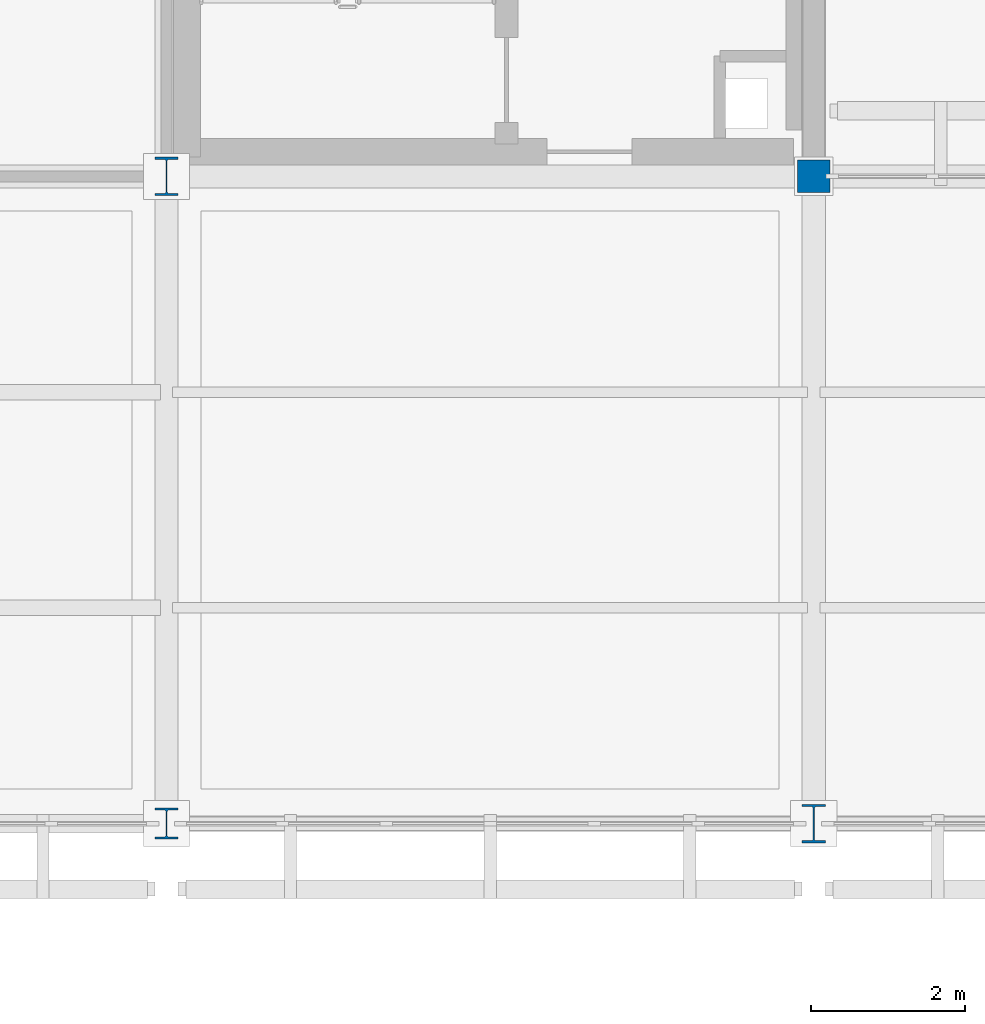
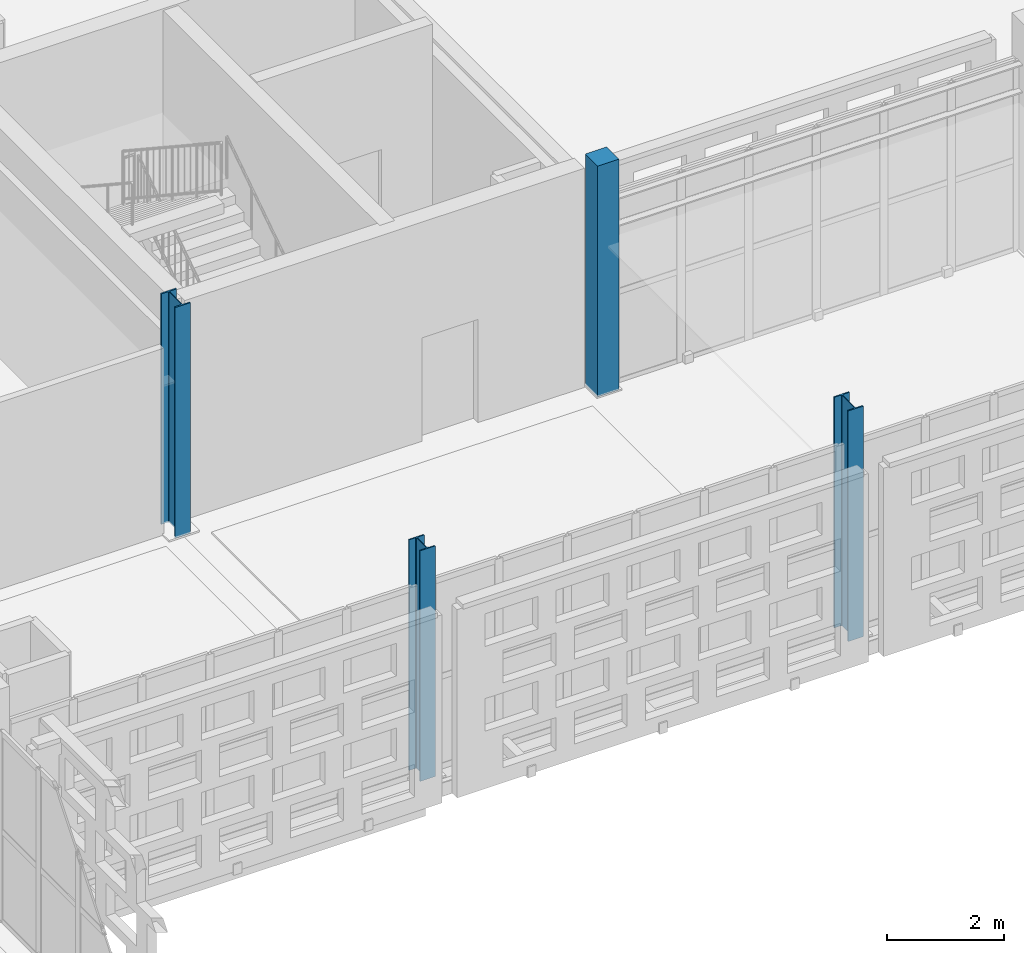
# One storey, part 4 of 203: 4 columns.
"""IFC4 building model written with IfcOpenShell, lengths in metres."""

from ifc_helpers import new_model, si_unit, direction, frame, origin, origin_2d, place, context, subcontext, project, spatial, rectangle, i_section, extrude, material, material_profile, profile_set, type_object, element, save


model = new_model("IFC4")

# Units and contexts
model_context = context("Model", 3, precision=1e-05, world=origin(), true_north=direction((0.0, 1.0)))
body_context = subcontext(model_context, "Body", "Model", "MODEL_VIEW")
ifc_project = project(units=[si_unit("LENGTHUNIT", "METRE"), si_unit("AREAUNIT", "SQUARE_METRE"), si_unit("VOLUMEUNIT", "CUBIC_METRE"), si_unit("PLANEANGLEUNIT", "RADIAN"), si_unit("MASSUNIT", "GRAM", prefix="KILO")], contexts=[model_context])

# Site, building, storey
site_placement = place(None, origin())
site = spatial("IfcSite", under=ifc_project, at=site_placement, CompositionType="ELEMENT")
building_placement = place(site_placement, origin())
building = spatial("IfcBuilding", under=site, at=building_placement, Name="Varnapada Polytechnic", CompositionType="ELEMENT")
storey_placement = place(building_placement, frame((0.0, 0.0, 4.800048828125)))
storey = spatial("IfcBuildingStorey", under=building, at=storey_placement, Name="L01", CompositionType="ELEMENT", Elevation=4.800048828125)

# Columns
ifc_material_1 = material(Name="Steel S355", Category="steel")
ifc_material_profile_1 = material_profile(ifc_material_1, i_section(OverallWidth=0.300048828125, OverallDepth=0.5, WebThickness=0.014404296875, FlangeThickness=0.028076171875, FilletRadius=0.027099609375, at=origin_2d()), Name="HEB 500")
ifc_profile_set_1 = profile_set([ifc_material_profile_1], Name="Steel S355")
column_type_1 = type_object("IfcColumnType", Name="Column C-06 (HEB 500)", PredefinedType="COLUMN", material=ifc_profile_set_1)
for number, where, z_axis, x_axis, name in (
    (1, (50.39990234375, 92.39990234375, 0.0), (0.0, 0.0, 1.0), (1.0, 0.0, 0.0), "L01 column 7/12"),
    (2, (58.800048828125, 84.0, 0.0), (0.0, 0.0, 1.0), (1.0, 0.0, 0.0), "L01 column 8/11"),
):
    element("IfcColumn", number, at=place(storey_placement, frame(where, z_axis=z_axis, x_axis=x_axis)), inside=storey, type_object=column_type_1, Name=name, PredefinedType="COLUMN", context=body_context, shape_type="SweptSolid", body=[
        extrude(i_section(OverallWidth=0.300048828125, OverallDepth=0.5, WebThickness=0.014404296875, FlangeThickness=0.028076171875, FilletRadius=0.027099609375, at=origin_2d()), origin(), (0.0, 0.0, 1.0), 4.800048828125),
    ])
ifc_material_profile_2 = material_profile(ifc_material_1, i_section(OverallWidth=0.300048828125, OverallDepth=0.39990234375, WebThickness=0.013427734375, FlangeThickness=0.02392578125, FilletRadius=0.027099609375, at=origin_2d()), Name="HEB 400")
ifc_profile_set_2 = profile_set([ifc_material_profile_2], Name="Steel S355")
column_type_2 = type_object("IfcColumnType", Name="Column C-08 (HEB 400)", PredefinedType="COLUMN", material=ifc_profile_set_2)
column_1_placement = place(storey_placement, frame((50.39990234375, 84.0, 0.0), z_axis=(0.0, 0.0, 1.0), x_axis=(1.0, 0.0, 0.0)))
element("IfcColumn", 3, at=column_1_placement, inside=storey, type_object=column_type_2, Name="L01 column 7/11", PredefinedType="COLUMN", context=body_context, shape_type="SweptSolid", body=[
    extrude(i_section(OverallWidth=0.300048828125, OverallDepth=0.39990234375, WebThickness=0.013427734375, FlangeThickness=0.02392578125, FilletRadius=0.027099609375, at=origin_2d()), origin(), (0.0, 0.0, 1.0), 4.800048828125),
])
ifc_material_2 = material(Name="Glulam GL32h", Category="wood")
ifc_material_profile_3 = material_profile(ifc_material_2, rectangle(XDim=0.419921875, YDim=0.419921875, at=origin_2d()), Name="GL 420x420")
ifc_profile_set_3 = profile_set([ifc_material_profile_3], Name="Glulam GL32h")
column_type_3 = type_object("IfcColumnType", Name="Column C-23 (GL 420x420)", PredefinedType="COLUMN", material=ifc_profile_set_3)
column_2_placement = place(storey_placement, frame((58.800048828125, 92.39990234375, 0.0), z_axis=(0.0, 0.0, 1.0), x_axis=(1.0, 0.0, 0.0)))
element("IfcColumn", 4, at=column_2_placement, inside=storey, type_object=column_type_3, Name="L01 column 8/12", PredefinedType="COLUMN", context=body_context, shape_type="SweptSolid", body=[
    extrude(rectangle(XDim=0.419921875, YDim=0.419921875, at=origin_2d()), origin(), (0.0, 0.0, 1.0), 4.800048828125),
])

save(model, "model.ifc")
